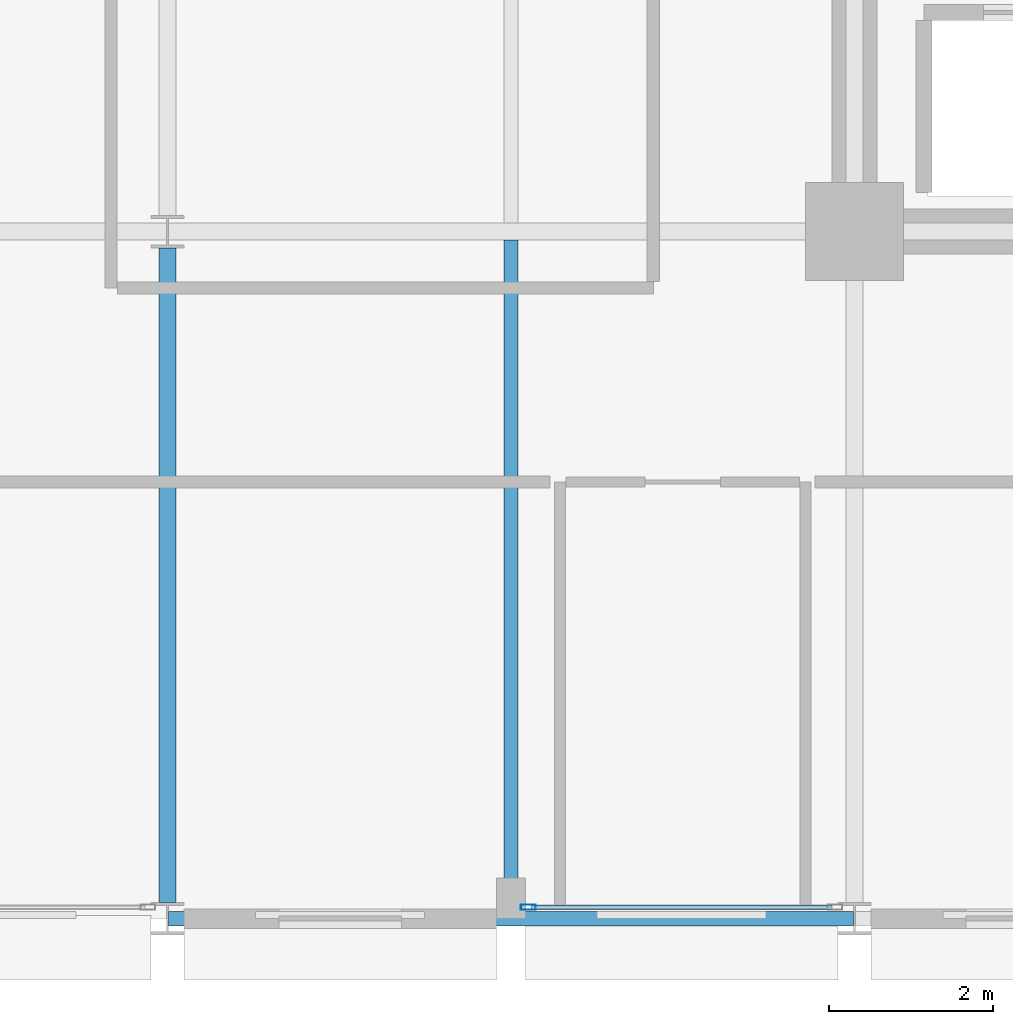
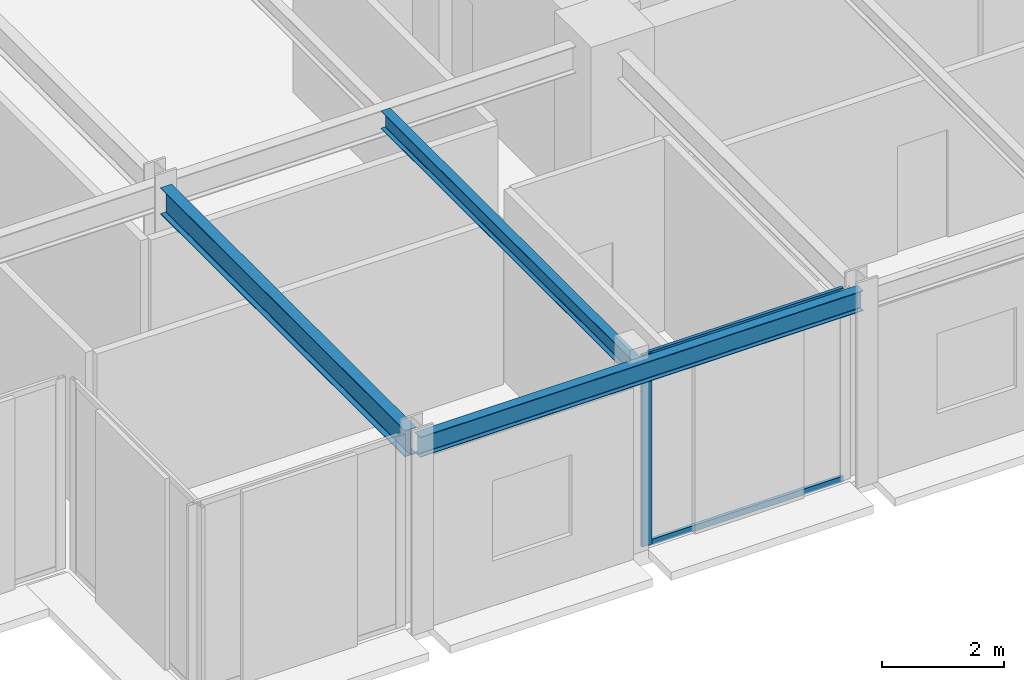
# One storey, part 5 of 39: 3 beams, 3 members, 1 element without a shape of its own.
"""IFC4 building model written with IfcOpenShell, lengths in metres."""

from ifc_helpers import new_model, si_unit, direction, frame, origin, origin_2d, place, context, subcontext, project, spatial, hollow_rectangle, i_section, extrude, material, layer, layer_set, material_profile, profile_set, type_object, element, aggregate, save


model = new_model("IFC4")

# Units and contexts
model_context = context("Model", 3, precision=1e-05, world=origin(), true_north=direction((0.0, 1.0)))
body_context = subcontext(model_context, "Body", "Model", "MODEL_VIEW")
ifc_project = project(units=[si_unit("LENGTHUNIT", "METRE"), si_unit("AREAUNIT", "SQUARE_METRE"), si_unit("VOLUMEUNIT", "CUBIC_METRE"), si_unit("PLANEANGLEUNIT", "RADIAN"), si_unit("MASSUNIT", "GRAM", prefix="KILO")], contexts=[model_context])

# Site, building, storey
site_placement = place(None, origin())
site = spatial("IfcSite", under=ifc_project, at=site_placement, CompositionType="ELEMENT")
building_placement = place(site_placement, origin())
building = spatial("IfcBuilding", under=site, at=building_placement, Name="Nerrivon Quay Data Exchange", CompositionType="ELEMENT")
storey_placement = place(building_placement, frame((0.0, 0.0, 92.60009765625)))
storey = spatial("IfcBuildingStorey", under=building, at=storey_placement, Name="L21", CompositionType="ELEMENT", Elevation=92.60009765625)

# Beams
ifc_material_1 = material(Name="Steel Grade 350", Category="steel")
ifc_material_profile_1 = material_profile(ifc_material_1, i_section(OverallWidth=0.208984375, OverallDepth=0.528076171875, WebThickness=0.009521484375, FlangeThickness=0.01318359375, FilletRadius=0.013916015625, at=origin_2d()), Name="530UB82.0")
ifc_profile_set_1 = profile_set([ifc_material_profile_1], Name="Steel Grade 350")
beam_type_1 = type_object("IfcBeamType", Name="BM-G4-530UB82", PredefinedType="BEAM", material=ifc_profile_set_1)
beam_1_placement = place(storey_placement, frame((8.39990234375, 0.199951171875, 3.560791015625), z_axis=(0.0, 1.0, 0.0), x_axis=(-1.0, 0.0, 0.0)))
element("IfcBeam", 1, at=beam_1_placement, inside=storey, type_object=beam_type_1, Name="L21 NS Girder X=8.4 (0.0..8.4)", PredefinedType="BEAM", context=body_context, shape_type="SweptSolid", body=[
    extrude(i_section(OverallWidth=0.208984375, OverallDepth=0.528076171875, WebThickness=0.009521484375, FlangeThickness=0.01318359375, FilletRadius=0.013916015625, at=origin_2d()), origin(), (0.0, 0.0, 1.0), 8.0),
])
ifc_material_profile_2 = material_profile(ifc_material_1, i_section(OverallWidth=0.1708984375, OverallDepth=0.35595703125, WebThickness=0.00732421875, FlangeThickness=0.011474609375, FilletRadius=0.011474609375, at=origin_2d()), Name="360UB50.7")
ifc_profile_set_2 = profile_set([ifc_material_profile_2], Name="Steel Grade 350")
beam_type_2 = type_object("IfcBeamType", Name="BM-J4-360UB51", PredefinedType="JOIST", material=ifc_profile_set_2)
beam_2_placement = place(storey_placement, frame((12.60009765625, 0.089111328125, 3.64697265625), z_axis=(0.0, 1.0, 0.0), x_axis=(-1.0, 0.0, 0.0)))
element("IfcBeam", 2, at=beam_2_placement, inside=storey, type_object=beam_type_2, Name="L21 Secondary Joist X=12.6 (0.0..8.4)", PredefinedType="JOIST", context=body_context, shape_type="SweptSolid", body=[
    extrude(i_section(OverallWidth=0.1708984375, OverallDepth=0.35595703125, WebThickness=0.00732421875, FlangeThickness=0.011474609375, FilletRadius=0.011474609375, at=origin_2d()), origin(), (0.0, 0.0, 1.0), 8.206298828125),
])
ifc_material_profile_3 = material_profile(ifc_material_1, i_section(OverallWidth=0.177978515625, OverallDepth=0.403076171875, WebThickness=0.007568359375, FlangeThickness=0.010986328125, FilletRadius=0.011474609375, at=origin_2d()), Name="410UB53.7")
ifc_profile_set_3 = profile_set([ifc_material_profile_3], Name="Steel Grade 350")
beam_type_3 = type_object("IfcBeamType", Name="BM-SP2-410UB54", PredefinedType="SPANDREL", material=ifc_profile_set_3)
beam_3_placement = place(storey_placement, frame((8.41259765625, 0.0, 3.623291015625), z_axis=(1.0, 0.0, 0.0), x_axis=(0.0, 1.0, 0.0)))
element("IfcBeam", 3, at=beam_3_placement, inside=storey, type_object=beam_type_3, Name="L21 EW Girder Y=0.0 (8.4..16.8)", PredefinedType="SPANDREL", context=body_context, shape_type="SweptSolid", body=[
    extrude(i_section(OverallWidth=0.177978515625, OverallDepth=0.403076171875, WebThickness=0.007568359375, FlangeThickness=0.010986328125, FilletRadius=0.011474609375, at=origin_2d()), origin(), (0.0, 0.0, 1.0), 8.375),
])

# Curtain wall, members
ifc_material_2 = material(Name="Anodised aluminium 6063-T6", Category="aluminium")
ifc_layer = layer(ifc_material_2, 0.2099609375)
ifc_layer_set = layer_set([ifc_layer], Name="Anodised aluminium 6063-T6")
curtain_wall_type = type_object("IfcCurtainWallType", Name="CW-SYS-02", PredefinedType="NOTDEFINED", material=ifc_layer_set)
curtain_wall_placement = place(storey_placement, origin())
curtain_wall = element("IfcCurtainWall", 4, at=curtain_wall_placement, inside=storey, type_object=curtain_wall_type, Name="L21 Unitised Curtain Wall 12", PredefinedType="NOTDEFINED")
ifc_material_profile_4 = material_profile(ifc_material_2, hollow_rectangle(XDim=0.06494140625, YDim=0.179931640625, WallThickness=0.00341796875, at=origin_2d()), Name="ALU-MULL-180x65")
ifc_profile_set_4 = profile_set([ifc_material_profile_4], Name="Anodised aluminium 6063-T6")
member_type_1 = type_object("IfcMemberType", Name="CWM-180x65", PredefinedType="MULLION", material=ifc_profile_set_4)
member_1_placement = place(storey_placement, frame((12.8125, 0.139892578125, 0.0), z_axis=(0.0, 0.0, 1.0), x_axis=(0.0, -1.0, 0.0)))
member_1 = element("IfcMember", 5, at=member_1_placement, type_object=member_type_1, Name="CW02 mullion 2", PredefinedType="MULLION", context=body_context, shape_type="SweptSolid", body=[
    extrude(hollow_rectangle(XDim=0.06494140625, YDim=0.179931640625, WallThickness=0.00341796875, at=origin_2d()), origin(), (0.0, 0.0, 1.0), 3.824951171875),
])
ifc_material_profile_5 = material_profile(ifc_material_2, hollow_rectangle(XDim=0.06005859375, YDim=0.1201171875, WallThickness=0.003173828125, at=origin_2d()), Name="ALU-TRAN-120x60")
ifc_profile_set_5 = profile_set([ifc_material_profile_5], Name="Anodised aluminium 6063-T6")
member_type_2 = type_object("IfcMemberType", Name="CWT-120x60", PredefinedType="USERDEFINED", material=ifc_profile_set_5)
member_2_placement = place(storey_placement, frame((16.52490234375, 0.139892578125, 0.032470703125), z_axis=(-1.0, 0.0, 0.0), x_axis=(0.0, -1.0, 0.0)))
member_2 = element("IfcMember", 6, at=member_2_placement, type_object=member_type_2, Name="CW02 transom 1.1", ObjectType="TRANSOM", PredefinedType="USERDEFINED", context=body_context, shape_type="SweptSolid", body=[
    extrude(hollow_rectangle(XDim=0.06005859375, YDim=0.1201171875, WallThickness=0.003173828125, at=origin_2d()), origin(), (0.0, 0.0, 1.0), 3.6748046875),
])
member_3_placement = place(storey_placement, frame((16.52490234375, 0.139892578125, 3.79248046875), z_axis=(-1.0, 0.0, 0.0), x_axis=(0.0, -1.0, 0.0)))
member_3 = element("IfcMember", 7, at=member_3_placement, type_object=member_type_2, Name="CW02 transom 1.2", ObjectType="TRANSOM", PredefinedType="USERDEFINED", context=body_context, shape_type="SweptSolid", body=[
    extrude(hollow_rectangle(XDim=0.06005859375, YDim=0.1201171875, WallThickness=0.003173828125, at=origin_2d()), origin(), (0.0, 0.0, 1.0), 3.6748046875),
])
aggregate(curtain_wall, [member_1, member_2, member_3])

save(model, "model.ifc")
